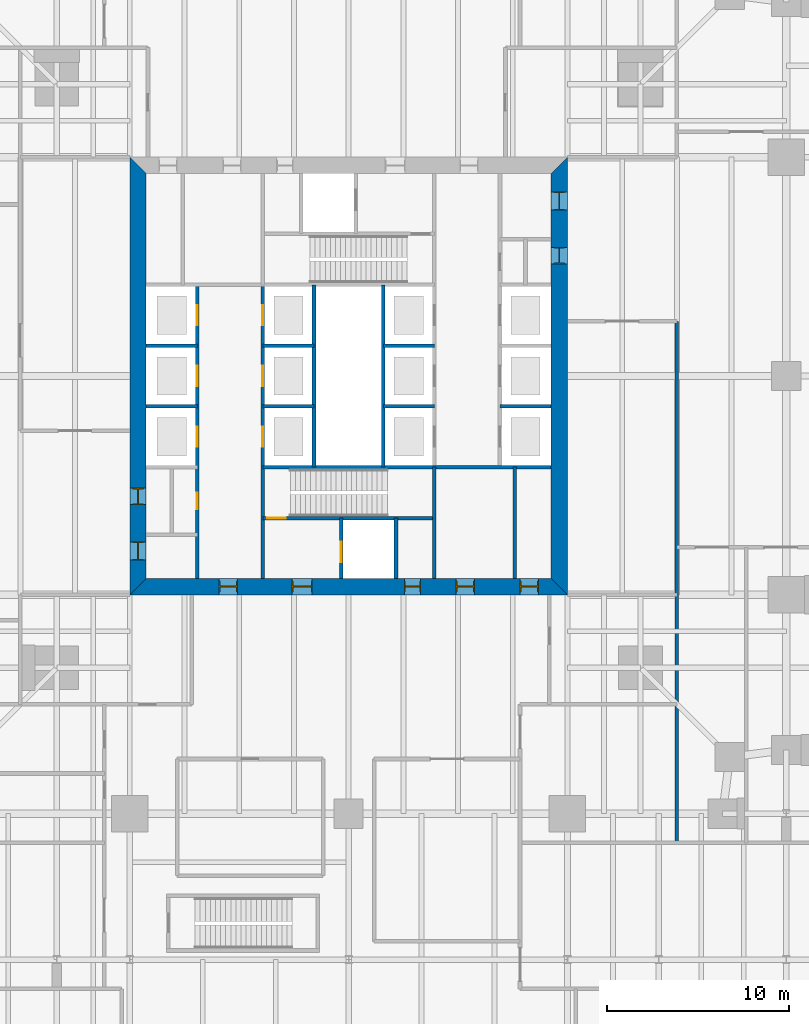
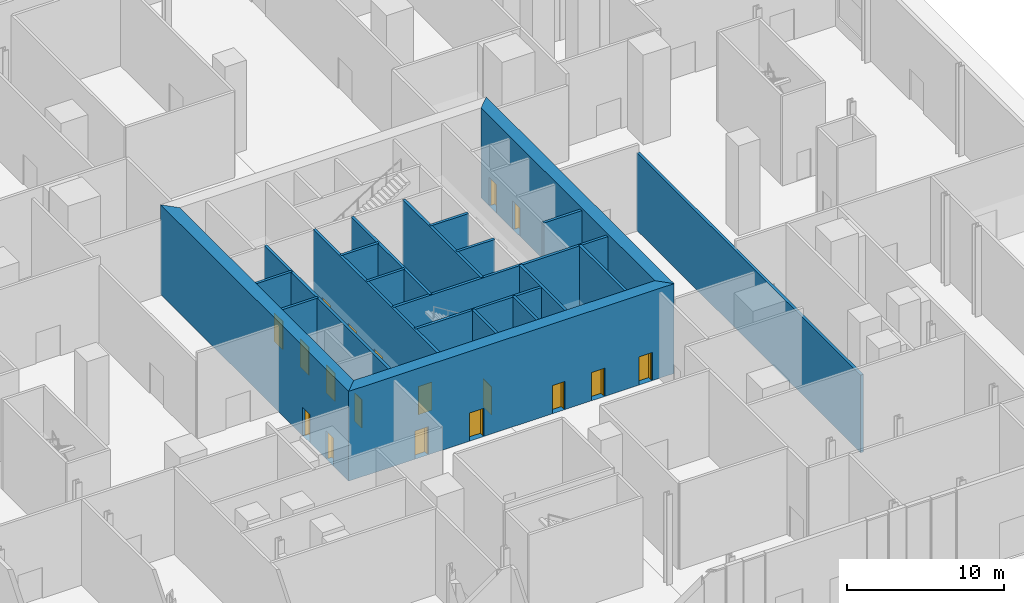
# One storey, part 14 of 20: 21 walls, 18 doors, 18 openings.
"""IFC4 building model written with IfcOpenShell, lengths in metres."""

from ifc_helpers import new_model, si_unit, direction, frame, frame_2d, origin, place, context, subcontext, project, spatial, polyline, rectangle, outline, extrude, material, layer, layer_set, type_object, element, fill, save


model = new_model("IFC4")

# Units and contexts
model_context = context("Model", 3, precision=1e-05, world=origin(), true_north=direction((0.0, 1.0)))
body_context = subcontext(model_context, "Body", "Model", "MODEL_VIEW")
ifc_project = project(units=[si_unit("LENGTHUNIT", "METRE"), si_unit("AREAUNIT", "SQUARE_METRE"), si_unit("VOLUMEUNIT", "CUBIC_METRE"), si_unit("PLANEANGLEUNIT", "RADIAN"), si_unit("MASSUNIT", "GRAM", prefix="KILO")], contexts=[model_context])

# Site, building, storey
site_placement = place(None, origin())
site = spatial("IfcSite", under=ifc_project, at=site_placement, CompositionType="ELEMENT")
building_placement = place(site_placement, origin())
building = spatial("IfcBuilding", under=site, at=building_placement, Name="Fenwick Lantern Interchange", CompositionType="ELEMENT")
storey_placement = place(building_placement, origin())
storey = spatial("IfcBuildingStorey", under=building, at=storey_placement, Name="L00", CompositionType="ELEMENT", Elevation=0.0)

# Wall, openings, doors
ifc_material_1 = material(Name="Concrete masonry ASTM C90 Grade N", Category="masonry")
ifc_layer_1 = layer(ifc_material_1, 0.199951171875)
ifc_layer_set_1 = layer_set([ifc_layer_1], Name="Concrete masonry ASTM C90 Grade N")
wall_type_1 = type_object("IfcWallType", Name="CORE PARTITION 200", PredefinedType="PARTITIONING", material=ifc_layer_set_1)
wall_1_placement = place(storey_placement, frame((16.699951171875, 13.89990234375, 0.0), z_axis=(0.0, 0.0, 1.0), x_axis=(0.0, 1.0, 0.0)))
wall_1 = element("IfcWall", 1, at=wall_1_placement, inside=storey, type_object=wall_type_1, Name="L00/W/CORES/a", PredefinedType="PARTITIONING", context=body_context, shape_type="SweptSolid", body=[
    extrude(rectangle(XDim=16.10009765625, YDim=0.199951171875, at=frame_2d((8.050048828125, 0.0))), origin(), (0.0, 0.0, 1.0), 6.800048828125),
])
opening_1_placement = place(wall_1_placement, frame((3.800048828125, 0.0, 0.0)))
opening_1 = element("IfcOpeningElement", 2, at=opening_1_placement, cuts=wall_1, Name="Opening L00-D024", PredefinedType="OPENING", context=body_context, shape_type="SweptSolid", body=[
    extrude(rectangle(XDim=0.89990234375, YDim=2.199951171875, at=frame_2d((0.449951171875, 1.10009765625))), frame((0.0, 0.10986328125, 0.0), z_axis=(0.0, -1.0, 0.0), x_axis=(1.0, 0.0, 0.0)), (0.0, 0.0, 1.0), 0.219970703125),
])
opening_2_placement = place(wall_1_placement, frame((7.216552734375, 0.0, 0.0)))
opening_2 = element("IfcOpeningElement", 3, at=opening_2_placement, cuts=wall_1, Name="Opening LD-W1-1", PredefinedType="OPENING", context=body_context, shape_type="SweptSolid", body=[
    extrude(rectangle(XDim=1.10009765625, YDim=2.199951171875, at=frame_2d((0.550048828125, 1.10009765625))), frame((0.0, 0.10986328125, 0.0), z_axis=(0.0, -1.0, 0.0), x_axis=(1.0, 0.0, 0.0)), (0.0, 0.0, 1.0), 0.219970703125),
])
opening_3_placement = place(wall_1_placement, frame((10.550048828125, 0.0, 0.0)))
opening_3 = element("IfcOpeningElement", 4, at=opening_3_placement, cuts=wall_1, Name="Opening LD-W1-2", PredefinedType="OPENING", context=body_context, shape_type="SweptSolid", body=[
    extrude(rectangle(XDim=1.10009765625, YDim=2.199951171875, at=frame_2d((0.550048828125, 1.10009765625))), frame((0.0, 0.10986328125, 0.0), z_axis=(0.0, -1.0, 0.0), x_axis=(1.0, 0.0, 0.0)), (0.0, 0.0, 1.0), 0.219970703125),
])
opening_4_placement = place(wall_1_placement, frame((13.88330078125, 0.0, 0.0)))
opening_4 = element("IfcOpeningElement", 5, at=opening_4_placement, cuts=wall_1, Name="Opening LD-W1-3", PredefinedType="OPENING", context=body_context, shape_type="SweptSolid", body=[
    extrude(rectangle(XDim=1.10009765625, YDim=2.199951171875, at=frame_2d((0.550048828125, 1.10009765625))), frame((0.0, 0.10986328125, 0.0), z_axis=(0.0, -1.0, 0.0), x_axis=(1.0, 0.0, 0.0)), (0.0, 0.0, 1.0), 0.219970703125),
])
ifc_material_2 = material(Name="Steel door and frame", Category="steel")
door_type_1 = type_object("IfcDoorType", Name="LIFT LANDING DOOR 1100 X 2200", OperationType="DOUBLE_DOOR_SLIDING", PredefinedType="DOOR", material=ifc_material_2)
door_1_placement = place(opening_2_placement, origin())
door_1 = element("IfcDoor", 6, at=door_1_placement, inside=storey, type_object=door_type_1, Name="Lift landing door W1-1", OperationType="DOUBLE_DOOR_SLIDING", OverallHeight=2.199951171875, OverallWidth=1.10009765625, PredefinedType="DOOR", context=body_context, shape_type="SweptSolid", body=[
    extrude(rectangle(XDim=1.10009765625, YDim=2.199951171875, at=frame_2d((0.550048828125, 1.10009765625))), frame((0.0, 0.02490234375, 0.0), z_axis=(0.0, -1.0, 0.0), x_axis=(1.0, 0.0, 0.0)), (0.0, 0.0, 1.0), 0.050048828125),
])
fill(opening_2, door_1)
door_2_placement = place(opening_3_placement, origin())
door_2 = element("IfcDoor", 7, at=door_2_placement, inside=storey, type_object=door_type_1, Name="Lift landing door W1-2", OperationType="DOUBLE_DOOR_SLIDING", OverallHeight=2.199951171875, OverallWidth=1.10009765625, PredefinedType="DOOR", context=body_context, shape_type="SweptSolid", body=[
    extrude(rectangle(XDim=1.10009765625, YDim=2.199951171875, at=frame_2d((0.550048828125, 1.10009765625))), frame((0.0, 0.02490234375, 0.0), z_axis=(0.0, -1.0, 0.0), x_axis=(1.0, 0.0, 0.0)), (0.0, 0.0, 1.0), 0.050048828125),
])
fill(opening_3, door_2)
door_3_placement = place(opening_4_placement, origin())
door_3 = element("IfcDoor", 8, at=door_3_placement, inside=storey, type_object=door_type_1, Name="Lift landing door W1-3", OperationType="DOUBLE_DOOR_SLIDING", OverallHeight=2.199951171875, OverallWidth=1.10009765625, PredefinedType="DOOR", context=body_context, shape_type="SweptSolid", body=[
    extrude(rectangle(XDim=1.10009765625, YDim=2.199951171875, at=frame_2d((0.550048828125, 1.10009765625))), frame((0.0, 0.02490234375, 0.0), z_axis=(0.0, -1.0, 0.0), x_axis=(1.0, 0.0, 0.0)), (0.0, 0.0, 1.0), 0.050048828125),
])
fill(opening_4, door_3)
door_type_2 = type_object("IfcDoorType", Name="SERVICE DOOR 900 X 2200", OperationType="SINGLE_SWING_LEFT", PredefinedType="DOOR", material=ifc_material_2)
door_4_placement = place(opening_1_placement, origin())
door_4 = element("IfcDoor", 9, at=door_4_placement, inside=storey, type_object=door_type_2, Name="Service door", OperationType="SINGLE_SWING_LEFT", OverallHeight=2.199951171875, OverallWidth=0.89990234375, PredefinedType="DOOR", context=body_context, shape_type="SweptSolid", body=[
    extrude(rectangle(XDim=0.89990234375, YDim=2.199951171875, at=frame_2d((0.449951171875, 1.10009765625))), frame((0.0, 0.02490234375, 0.0), z_axis=(0.0, -1.0, 0.0), x_axis=(1.0, 0.0, 0.0)), (0.0, 0.0, 1.0), 0.050048828125),
])
fill(opening_1, door_4)

# Walls
for number, where, z_axis, x_axis, name in (
    (10, (13.89990234375, 23.333251953125, 0.0), (0.0, 0.0, 1.0), (1.0, 0.0, 0.0), "L00/W/CORES/d1"),
    (11, (13.89990234375, 26.666748046875, 0.0), (0.0, 0.0, 1.0), (1.0, 0.0, 0.0), "L00/W/CORES/d2"),
    (12, (20.300048828125, 23.333251953125, 0.0), (0.0, 0.0, 1.0), (1.0, 0.0, 0.0), "L00/W/CORES/e1"),
    (13, (20.300048828125, 26.666748046875, 0.0), (0.0, 0.0, 1.0), (1.0, 0.0, 0.0), "L00/W/CORES/e2"),
):
    element("IfcWall", number, at=place(storey_placement, frame(where, z_axis=z_axis, x_axis=x_axis)), inside=storey, type_object=wall_type_1, Name=name, PredefinedType="PARTITIONING", context=body_context, shape_type="SweptSolid", body=[
        extrude(rectangle(XDim=2.800048828125, YDim=0.199951171875, at=frame_2d((1.39990234375, 0.0))), origin(), (0.0, 0.0, 1.0), 6.800048828125),
    ])
wall_2_placement = place(storey_placement, frame((23.10009765625, 20.0, 0.0), z_axis=(0.0, 0.0, 1.0), x_axis=(0.0, 1.0, 0.0)))
element("IfcWall", 14, at=wall_2_placement, inside=storey, type_object=wall_type_1, Name="L00/W/CORES/e3", PredefinedType="PARTITIONING", context=body_context, shape_type="SweptSolid", body=[
    extrude(rectangle(XDim=10.0, YDim=0.199951171875, at=frame_2d((5.0, 0.0))), origin(), (0.0, 0.0, 1.0), 6.800048828125),
])

# Wall, opening, door
wall_3_placement = place(storey_placement, frame((24.60009765625, 13.89990234375, 0.0), z_axis=(0.0, 0.0, 1.0), x_axis=(0.0, 1.0, 0.0)))
wall_3 = element("IfcWall", 15, at=wall_3_placement, inside=storey, type_object=wall_type_1, Name="L00/W/CORES/h1", PredefinedType="PARTITIONING", context=body_context, shape_type="SweptSolid", body=[
    extrude(rectangle(XDim=3.300048828125, YDim=0.199951171875, at=frame_2d((1.64990234375, 0.0))), origin(), (0.0, 0.0, 1.0), 6.800048828125),
])
opening_5_placement = place(wall_3_placement, frame((0.89990234375, 0.0, 0.0)))
opening_5 = element("IfcOpeningElement", 16, at=opening_5_placement, cuts=wall_3, Name="Opening LD-FL1", PredefinedType="OPENING", context=body_context, shape_type="SweptSolid", body=[
    extrude(rectangle(XDim=1.10009765625, YDim=2.199951171875, at=frame_2d((0.550048828125, 1.10009765625))), frame((0.0, 0.10986328125, 0.0), z_axis=(0.0, -1.0, 0.0), x_axis=(1.0, 0.0, 0.0)), (0.0, 0.0, 1.0), 0.219970703125),
])
door_5_placement = place(opening_5_placement, origin())
door_5 = element("IfcDoor", 17, at=door_5_placement, inside=storey, type_object=door_type_1, Name="Lift landing door FL1", OperationType="DOUBLE_DOOR_SLIDING", OverallHeight=2.199951171875, OverallWidth=1.10009765625, PredefinedType="DOOR", context=body_context, shape_type="SweptSolid", body=[
    extrude(rectangle(XDim=1.10009765625, YDim=2.199951171875, at=frame_2d((0.550048828125, 1.10009765625))), frame((0.0, 0.02490234375, 0.0), z_axis=(0.0, -1.0, 0.0), x_axis=(1.0, 0.0, 0.0)), (0.0, 0.0, 1.0), 0.050048828125),
])
fill(opening_5, door_5)

# Walls
wall_4_placement = place(storey_placement, frame((27.60009765625, 13.89990234375, 0.0), z_axis=(0.0, 0.0, 1.0), x_axis=(0.0, 1.0, 0.0)))
element("IfcWall", 18, at=wall_4_placement, inside=storey, type_object=wall_type_1, Name="L00/W/CORES/h2", PredefinedType="PARTITIONING", context=body_context, shape_type="SweptSolid", body=[
    extrude(rectangle(XDim=3.300048828125, YDim=0.199951171875, at=frame_2d((1.64990234375, 0.0))), origin(), (0.0, 0.0, 1.0), 6.800048828125),
])
wall_5_placement = place(storey_placement, frame((34.10009765625, 13.89990234375, 0.0), z_axis=(0.0, 0.0, 1.0), x_axis=(0.0, 1.0, 0.0)))
element("IfcWall", 19, at=wall_5_placement, inside=storey, type_object=wall_type_1, Name="L00/W/CORES/i2", PredefinedType="PARTITIONING", context=body_context, shape_type="SweptSolid", body=[
    extrude(rectangle(XDim=6.10009765625, YDim=0.199951171875, at=frame_2d((3.050048828125, 0.0))), origin(), (0.0, 0.0, 1.0), 6.800048828125),
])
for number, where, z_axis, x_axis, name in (
    (20, (36.10009765625, 23.333251953125, 0.0), (0.0, 0.0, 1.0), (-1.0, 0.0, 0.0), "L00/W/COREN/d2"),
    (21, (29.699951171875, 26.666748046875, 0.0), (0.0, 0.0, 1.0), (-1.0, 0.0, 0.0), "L00/W/COREN/e1"),
    (22, (29.699951171875, 23.333251953125, 0.0), (0.0, 0.0, 1.0), (-1.0, 0.0, 0.0), "L00/W/COREN/e2"),
):
    element("IfcWall", number, at=place(storey_placement, frame(where, z_axis=z_axis, x_axis=x_axis)), inside=storey, type_object=wall_type_1, Name=name, PredefinedType="PARTITIONING", context=body_context, shape_type="SweptSolid", body=[
        extrude(rectangle(XDim=2.800048828125, YDim=0.199951171875, at=frame_2d((1.39990234375, 0.0))), origin(), (0.0, 0.0, 1.0), 6.800048828125),
    ])
wall_6_placement = place(storey_placement, frame((26.89990234375, 30.0, 0.0), z_axis=(0.0, 0.0, 1.0), x_axis=(0.0, -1.0, 0.0)))
element("IfcWall", 23, at=wall_6_placement, inside=storey, type_object=wall_type_1, Name="L00/W/COREN/e3", PredefinedType="PARTITIONING", context=body_context, shape_type="SweptSolid", body=[
    extrude(rectangle(XDim=10.0, YDim=0.199951171875, at=frame_2d((5.0, 0.0))), origin(), (0.0, 0.0, 1.0), 6.800048828125),
])

# Wall, openings, doors
ifc_material_3 = material(Name="Concrete f'c 70 MPa", Category="concrete")
ifc_layer_2 = layer(ifc_material_3, 0.89990234375)
ifc_layer_set_2 = layer_set([ifc_layer_2], Name="CORE WALL 900")
wall_type_2 = type_object("IfcWallType", Name="CORE WALL 900", PredefinedType="SHEAR", material=ifc_layer_set_2)
wall_7_placement = place(storey_placement, frame((13.0, 13.449951171875, 0.0), z_axis=(0.0, 0.0, 1.0), x_axis=(1.0, 0.0, 0.0)))
wall_7 = element("IfcWall", 24, at=wall_7_placement, inside=storey, type_object=wall_type_2, Name="L00/CORE/S", PredefinedType="SHEAR", context=body_context, shape_type="SweptSolid", body=[
    extrude(outline(polyline([(0.0, -0.449951171875), (24.0, -0.449951171875), (23.10009765625, 0.449951171875), (0.89990234375, 0.449951171875), (0.0, -0.449951171875)])), origin(), (0.0, 0.0, 1.0), 7.0),
])
opening_6_placement = place(wall_7_placement, frame((4.89990234375, 0.0, 0.0)))
opening_6 = element("IfcOpeningElement", 25, at=opening_6_placement, cuts=wall_7, Name="Opening L00-D017", PredefinedType="OPENING", context=body_context, shape_type="SweptSolid", body=[
    extrude(rectangle(XDim=1.0, YDim=2.199951171875, at=frame_2d((0.5, 1.10009765625))), frame((0.0, 0.4599609375, 0.0), z_axis=(0.0, -1.0, 0.0), x_axis=(1.0, 0.0, 0.0)), (0.0, 0.0, 1.0), 0.919921875),
])
opening_7_placement = place(wall_7_placement, frame((8.89990234375, 0.0, 0.0)))
opening_7 = element("IfcOpeningElement", 26, at=opening_7_placement, cuts=wall_7, Name="Opening L00-D018", PredefinedType="OPENING", context=body_context, shape_type="SweptSolid", body=[
    extrude(rectangle(XDim=1.10009765625, YDim=2.199951171875, at=frame_2d((0.550048828125, 1.10009765625))), frame((0.0, 0.4599609375, 0.0), z_axis=(0.0, -1.0, 0.0), x_axis=(1.0, 0.0, 0.0)), (0.0, 0.0, 1.0), 0.919921875),
])
opening_8_placement = place(wall_7_placement, frame((15.050048828125, 0.0, 0.0)))
opening_8 = element("IfcOpeningElement", 27, at=opening_8_placement, cuts=wall_7, Name="Opening L00-D020", PredefinedType="OPENING", context=body_context, shape_type="SweptSolid", body=[
    extrude(rectangle(XDim=0.89990234375, YDim=2.199951171875, at=frame_2d((0.449951171875, 1.10009765625))), frame((0.0, 0.4599609375, 0.0), z_axis=(0.0, -1.0, 0.0), x_axis=(1.0, 0.0, 0.0)), (0.0, 0.0, 1.0), 0.919921875),
])
opening_9_placement = place(wall_7_placement, frame((17.89990234375, 0.0, 0.0)))
opening_9 = element("IfcOpeningElement", 28, at=opening_9_placement, cuts=wall_7, Name="Opening L00-D021", PredefinedType="OPENING", context=body_context, shape_type="SweptSolid", body=[
    extrude(rectangle(XDim=1.0, YDim=2.199951171875, at=frame_2d((0.5, 1.10009765625))), frame((0.0, 0.4599609375, 0.0), z_axis=(0.0, -1.0, 0.0), x_axis=(1.0, 0.0, 0.0)), (0.0, 0.0, 1.0), 0.919921875),
])
opening_10_placement = place(wall_7_placement, frame((21.39990234375, 0.0, 0.0)))
opening_10 = element("IfcOpeningElement", 29, at=opening_10_placement, cuts=wall_7, Name="Opening L00-D022", PredefinedType="OPENING", context=body_context, shape_type="SweptSolid", body=[
    extrude(rectangle(XDim=1.0, YDim=2.199951171875, at=frame_2d((0.5, 1.10009765625))), frame((0.0, 0.4599609375, 0.0), z_axis=(0.0, -1.0, 0.0), x_axis=(1.0, 0.0, 0.0)), (0.0, 0.0, 1.0), 0.919921875),
])
door_type_3 = type_object("IfcDoorType", Name="CORE LOBBY DOOR 1000 X 2200", OperationType="SINGLE_SWING_LEFT", PredefinedType="DOOR", material=ifc_material_2)
door_6_placement = place(opening_6_placement, frame((1.0, 0.0, 0.0), z_axis=(0.0, 0.0, 1.0), x_axis=(-1.0, 0.0, 0.0)))
door_6 = element("IfcDoor", 30, at=door_6_placement, inside=storey, type_object=door_type_3, Name="Core lobby door", OperationType="SINGLE_SWING_RIGHT", OverallHeight=2.199951171875, OverallWidth=1.0, PredefinedType="DOOR", context=body_context, shape_type="SweptSolid", body=[
    extrude(rectangle(XDim=1.0, YDim=2.199951171875, at=frame_2d((0.5, 1.10009765625))), frame((0.0, 0.02490234375, 0.0), z_axis=(0.0, -1.0, 0.0), x_axis=(1.0, 0.0, 0.0)), (0.0, 0.0, 1.0), 0.050048828125),
    extrude(outline(polyline([(0.0, 0.0), (0.0400390625, 0.0), (0.0400390625, 2.159912109375), (0.9599609375, 2.159912109375), (0.9599609375, 0.0), (1.0, 0.0), (1.0, 2.199951171875), (0.0, 2.199951171875), (0.0, 0.0)])), frame((0.0, 0.300048828125, 0.0), z_axis=(0.0, -1.0, 0.0), x_axis=(1.0, 0.0, 0.0)), (0.0, 0.0, 1.0), 0.60009765625),
])
fill(opening_6, door_6)
door_type_4 = type_object("IfcDoorType", Name="FIRE LOBBY DOOR 1100 X 2200", OperationType="SINGLE_SWING_LEFT", PredefinedType="DOOR", material=ifc_material_2)
door_7_placement = place(opening_7_placement, frame((1.10009765625, 0.0, 0.0), z_axis=(0.0, 0.0, 1.0), x_axis=(-1.0, 0.0, 0.0)))
door_7 = element("IfcDoor", 31, at=door_7_placement, inside=storey, type_object=door_type_4, Name="Fire lobby door", OperationType="SINGLE_SWING_RIGHT", OverallHeight=2.199951171875, OverallWidth=1.10009765625, PredefinedType="DOOR", context=body_context, shape_type="SweptSolid", body=[
    extrude(rectangle(XDim=1.10009765625, YDim=2.199951171875, at=frame_2d((0.550048828125, 1.10009765625))), frame((0.0, 0.02490234375, 0.0), z_axis=(0.0, -1.0, 0.0), x_axis=(1.0, 0.0, 0.0)), (0.0, 0.0, 1.0), 0.050048828125),
    extrude(outline(polyline([(0.0, 0.0), (0.0400390625, 0.0), (0.0400390625, 2.159912109375), (1.06005859375, 2.159912109375), (1.06005859375, 0.0), (1.10009765625, 0.0), (1.10009765625, 2.199951171875), (0.0, 2.199951171875), (0.0, 0.0)])), frame((0.0, 0.300048828125, 0.0), z_axis=(0.0, -1.0, 0.0), x_axis=(1.0, 0.0, 0.0)), (0.0, 0.0, 1.0), 0.60009765625),
])
fill(opening_7, door_7)
door_8_placement = place(opening_8_placement, origin())
door_8 = element("IfcDoor", 32, at=door_8_placement, inside=storey, type_object=door_type_2, Name="Service door", OperationType="SINGLE_SWING_LEFT", OverallHeight=2.199951171875, OverallWidth=0.89990234375, PredefinedType="DOOR", context=body_context, shape_type="SweptSolid", body=[
    extrude(rectangle(XDim=0.89990234375, YDim=2.199951171875, at=frame_2d((0.449951171875, 1.10009765625))), frame((0.0, 0.02490234375, 0.0), z_axis=(0.0, -1.0, 0.0), x_axis=(1.0, 0.0, 0.0)), (0.0, 0.0, 1.0), 0.050048828125),
    extrude(outline(polyline([(0.0, 0.0), (0.0400390625, 0.0), (0.0400390625, 2.159912109375), (0.85986328125, 2.159912109375), (0.85986328125, 0.0), (0.89990234375, 0.0), (0.89990234375, 2.199951171875), (0.0, 2.199951171875), (0.0, 0.0)])), frame((0.0, 0.300048828125, 0.0), z_axis=(0.0, -1.0, 0.0), x_axis=(1.0, 0.0, 0.0)), (0.0, 0.0, 1.0), 0.60009765625),
])
fill(opening_8, door_8)
ifc_material_4 = material(Name="Hardwood door and steel frame", Category="steel")
door_type_5 = type_object("IfcDoorType", Name="WC DOOR 1000 X 2200", OperationType="SINGLE_SWING_LEFT", PredefinedType="DOOR", material=ifc_material_4)
door_9_placement = place(opening_9_placement, origin())
door_9 = element("IfcDoor", 33, at=door_9_placement, inside=storey, type_object=door_type_5, Name="Wc door", OperationType="SINGLE_SWING_LEFT", OverallHeight=2.199951171875, OverallWidth=1.0, PredefinedType="DOOR", context=body_context, shape_type="SweptSolid", body=[
    extrude(rectangle(XDim=1.0, YDim=2.199951171875, at=frame_2d((0.5, 1.10009765625))), frame((0.0, 0.02490234375, 0.0), z_axis=(0.0, -1.0, 0.0), x_axis=(1.0, 0.0, 0.0)), (0.0, 0.0, 1.0), 0.050048828125),
    extrude(outline(polyline([(0.0, 0.0), (0.0400390625, 0.0), (0.0400390625, 2.159912109375), (0.9599609375, 2.159912109375), (0.9599609375, 0.0), (1.0, 0.0), (1.0, 2.199951171875), (0.0, 2.199951171875), (0.0, 0.0)])), frame((0.0, 0.300048828125, 0.0), z_axis=(0.0, -1.0, 0.0), x_axis=(1.0, 0.0, 0.0)), (0.0, 0.0, 1.0), 0.60009765625),
])
fill(opening_9, door_9)
door_10_placement = place(opening_10_placement, origin())
door_10 = element("IfcDoor", 34, at=door_10_placement, inside=storey, type_object=door_type_5, Name="Wc door", OperationType="SINGLE_SWING_LEFT", OverallHeight=2.199951171875, OverallWidth=1.0, PredefinedType="DOOR", context=body_context, shape_type="SweptSolid", body=[
    extrude(rectangle(XDim=1.0, YDim=2.199951171875, at=frame_2d((0.5, 1.10009765625))), frame((0.0, 0.02490234375, 0.0), z_axis=(0.0, -1.0, 0.0), x_axis=(1.0, 0.0, 0.0)), (0.0, 0.0, 1.0), 0.050048828125),
    extrude(outline(polyline([(0.0, 0.0), (0.0400390625, 0.0), (0.0400390625, 2.159912109375), (0.9599609375, 2.159912109375), (0.9599609375, 0.0), (1.0, 0.0), (1.0, 2.199951171875), (0.0, 2.199951171875), (0.0, 0.0)])), frame((0.0, 0.300048828125, 0.0), z_axis=(0.0, -1.0, 0.0), x_axis=(1.0, 0.0, 0.0)), (0.0, 0.0, 1.0), 0.60009765625),
])
fill(opening_10, door_10)

wall_8_placement = place(storey_placement, frame((36.550048828125, 13.89990234375, 0.0), z_axis=(0.0, 0.0, 1.0), x_axis=(0.0, 1.0, 0.0)))
wall_8 = element("IfcWall", 35, at=wall_8_placement, inside=storey, type_object=wall_type_2, Name="L00/CORE/E", PredefinedType="SHEAR", context=body_context, shape_type="SweptSolid", body=[
    extrude(outline(polyline([(-0.89990234375, -0.449951171875), (23.10009765625, -0.449951171875), (22.199951171875, 0.449951171875), (0.0, 0.449951171875), (-0.89990234375, -0.449951171875)])), origin(), (0.0, 0.0, 1.0), 7.0),
])
opening_11_placement = place(wall_8_placement, frame((20.199951171875, 0.0, 0.0)))
opening_11 = element("IfcOpeningElement", 36, at=opening_11_placement, cuts=wall_8, Name="Opening L00-D032", PredefinedType="OPENING", context=body_context, shape_type="SweptSolid", body=[
    extrude(rectangle(XDim=1.0, YDim=2.199951171875, at=frame_2d((0.5, 1.10009765625))), frame((0.0, 0.4599609375, 0.0), z_axis=(0.0, -1.0, 0.0), x_axis=(1.0, 0.0, 0.0)), (0.0, 0.0, 1.0), 0.919921875),
])
opening_12_placement = place(wall_8_placement, frame((17.25, 0.0, 0.0)))
opening_12 = element("IfcOpeningElement", 37, at=opening_12_placement, cuts=wall_8, Name="Opening L00-D034", PredefinedType="OPENING", context=body_context, shape_type="SweptSolid", body=[
    extrude(rectangle(XDim=0.89990234375, YDim=2.199951171875, at=frame_2d((0.449951171875, 1.10009765625))), frame((0.0, 0.4599609375, 0.0), z_axis=(0.0, -1.0, 0.0), x_axis=(1.0, 0.0, 0.0)), (0.0, 0.0, 1.0), 0.919921875),
])
door_11_placement = place(opening_12_placement, origin())
door_11 = element("IfcDoor", 38, at=door_11_placement, inside=storey, type_object=door_type_2, Name="Service door", OperationType="SINGLE_SWING_RIGHT", OverallHeight=2.199951171875, OverallWidth=0.89990234375, PredefinedType="DOOR", context=body_context, shape_type="SweptSolid", body=[
    extrude(rectangle(XDim=0.89990234375, YDim=2.199951171875, at=frame_2d((0.449951171875, 1.10009765625))), frame((0.0, 0.02490234375, 0.0), z_axis=(0.0, -1.0, 0.0), x_axis=(1.0, 0.0, 0.0)), (0.0, 0.0, 1.0), 0.050048828125),
    extrude(outline(polyline([(0.0, 0.0), (0.0400390625, 0.0), (0.0400390625, 2.159912109375), (0.85986328125, 2.159912109375), (0.85986328125, 0.0), (0.89990234375, 0.0), (0.89990234375, 2.199951171875), (0.0, 2.199951171875), (0.0, 0.0)])), frame((0.0, 0.300048828125, 0.0), z_axis=(0.0, -1.0, 0.0), x_axis=(1.0, 0.0, 0.0)), (0.0, 0.0, 1.0), 0.60009765625),
])
fill(opening_12, door_11)
door_12_placement = place(opening_11_placement, origin())
door_12 = element("IfcDoor", 39, at=door_12_placement, inside=storey, type_object=door_type_5, Name="Wc door", OperationType="SINGLE_SWING_RIGHT", OverallHeight=2.199951171875, OverallWidth=1.0, PredefinedType="DOOR", context=body_context, shape_type="SweptSolid", body=[
    extrude(rectangle(XDim=1.0, YDim=2.199951171875, at=frame_2d((0.5, 1.10009765625))), frame((0.0, 0.02490234375, 0.0), z_axis=(0.0, -1.0, 0.0), x_axis=(1.0, 0.0, 0.0)), (0.0, 0.0, 1.0), 0.050048828125),
    extrude(outline(polyline([(0.0, 0.0), (0.0400390625, 0.0), (0.0400390625, 2.159912109375), (0.9599609375, 2.159912109375), (0.9599609375, 0.0), (1.0, 0.0), (1.0, 2.199951171875), (0.0, 2.199951171875), (0.0, 0.0)])), frame((0.0, 0.300048828125, 0.0), z_axis=(0.0, -1.0, 0.0), x_axis=(1.0, 0.0, 0.0)), (0.0, 0.0, 1.0), 0.60009765625),
])
fill(opening_11, door_12)

wall_9_placement = place(storey_placement, frame((13.449951171875, 36.10009765625, 0.0), z_axis=(0.0, 0.0, 1.0), x_axis=(0.0, -1.0, 0.0)))
wall_9 = element("IfcWall", 40, at=wall_9_placement, inside=storey, type_object=wall_type_2, Name="L00/CORE/W", PredefinedType="SHEAR", context=body_context, shape_type="SweptSolid", body=[
    extrude(outline(polyline([(-0.89990234375, -0.449951171875), (23.10009765625, -0.449951171875), (22.199951171875, 0.449951171875), (0.0, 0.449951171875), (-0.89990234375, -0.449951171875)])), origin(), (0.0, 0.0, 1.0), 7.0),
])
opening_13_placement = place(wall_9_placement, frame((20.199951171875, 0.0, 0.0)))
opening_13 = element("IfcOpeningElement", 41, at=opening_13_placement, cuts=wall_9, Name="Opening L00-D023", PredefinedType="OPENING", context=body_context, shape_type="SweptSolid", body=[
    extrude(rectangle(XDim=1.0, YDim=2.199951171875, at=frame_2d((0.5, 1.10009765625))), frame((0.0, 0.4599609375, 0.0), z_axis=(0.0, -1.0, 0.0), x_axis=(1.0, 0.0, 0.0)), (0.0, 0.0, 1.0), 0.919921875),
])
opening_14_placement = place(wall_9_placement, frame((17.25, 0.0, 0.0)))
opening_14 = element("IfcOpeningElement", 42, at=opening_14_placement, cuts=wall_9, Name="Opening L00-D025", PredefinedType="OPENING", context=body_context, shape_type="SweptSolid", body=[
    extrude(rectangle(XDim=0.89990234375, YDim=2.199951171875, at=frame_2d((0.449951171875, 1.10009765625))), frame((0.0, 0.4599609375, 0.0), z_axis=(0.0, -1.0, 0.0), x_axis=(1.0, 0.0, 0.0)), (0.0, 0.0, 1.0), 0.919921875),
])
door_13_placement = place(opening_14_placement, origin())
door_13 = element("IfcDoor", 43, at=door_13_placement, inside=storey, type_object=door_type_2, Name="Service door", OperationType="SINGLE_SWING_LEFT", OverallHeight=2.199951171875, OverallWidth=0.89990234375, PredefinedType="DOOR", context=body_context, shape_type="SweptSolid", body=[
    extrude(rectangle(XDim=0.89990234375, YDim=2.199951171875, at=frame_2d((0.449951171875, 1.10009765625))), frame((0.0, 0.02490234375, 0.0), z_axis=(0.0, -1.0, 0.0), x_axis=(1.0, 0.0, 0.0)), (0.0, 0.0, 1.0), 0.050048828125),
    extrude(outline(polyline([(0.0, 0.0), (0.0400390625, 0.0), (0.0400390625, 2.159912109375), (0.85986328125, 2.159912109375), (0.85986328125, 0.0), (0.89990234375, 0.0), (0.89990234375, 2.199951171875), (0.0, 2.199951171875), (0.0, 0.0)])), frame((0.0, 0.300048828125, 0.0), z_axis=(0.0, -1.0, 0.0), x_axis=(1.0, 0.0, 0.0)), (0.0, 0.0, 1.0), 0.60009765625),
])
fill(opening_14, door_13)
door_14_placement = place(opening_13_placement, origin())
door_14 = element("IfcDoor", 44, at=door_14_placement, inside=storey, type_object=door_type_5, Name="Wc door", OperationType="SINGLE_SWING_LEFT", OverallHeight=2.199951171875, OverallWidth=1.0, PredefinedType="DOOR", context=body_context, shape_type="SweptSolid", body=[
    extrude(rectangle(XDim=1.0, YDim=2.199951171875, at=frame_2d((0.5, 1.10009765625))), frame((0.0, 0.02490234375, 0.0), z_axis=(0.0, -1.0, 0.0), x_axis=(1.0, 0.0, 0.0)), (0.0, 0.0, 1.0), 0.050048828125),
    extrude(outline(polyline([(0.0, 0.0), (0.0400390625, 0.0), (0.0400390625, 2.159912109375), (0.9599609375, 2.159912109375), (0.9599609375, 0.0), (1.0, 0.0), (1.0, 2.199951171875), (0.0, 2.199951171875), (0.0, 0.0)])), frame((0.0, 0.300048828125, 0.0), z_axis=(0.0, -1.0, 0.0), x_axis=(1.0, 0.0, 0.0)), (0.0, 0.0, 1.0), 0.60009765625),
])
fill(opening_13, door_14)

# Wall
ifc_material_5 = material(Name="Gypsum board on steel studs, 1 hour", Category="steel")
ifc_layer_3 = layer(ifc_material_5, 0.199951171875)
ifc_layer_set_3 = layer_set([ifc_layer_3], Name="ROOM WALL 200")
wall_type_3 = type_object("IfcWallType", Name="ROOM WALL 200", PredefinedType="PARTITIONING", material=ifc_layer_set_3)
wall_10_placement = place(storey_placement, frame((43.0, -0.60009765625, 0.0), z_axis=(0.0, 0.0, 1.0), x_axis=(0.0, 1.0, 0.0)))
element("IfcWall", 45, at=wall_10_placement, inside=storey, type_object=wall_type_3, Name="L00/W/POD/X43-1", PredefinedType="PARTITIONING", context=body_context, shape_type="SweptSolid", body=[
    extrude(rectangle(XDim=28.60009765625, YDim=0.199951171875, at=frame_2d((14.300048828125, 0.0))), origin(), (0.0, 0.0, 1.0), 6.04296875),
])

# Wall, openings, doors
ifc_material_6 = material(Name="Concrete f'c 45 MPa", Category="concrete")
ifc_layer_4 = layer(ifc_material_6, 0.199951171875)
ifc_layer_set_4 = layer_set([ifc_layer_4], Name="STAIR CORE WALL 200")
wall_type_4 = type_object("IfcWallType", Name="STAIR CORE WALL 200", PredefinedType="SOLIDWALL", material=ifc_layer_set_4)
wall_11_placement = place(storey_placement, frame((20.300048828125, 13.89990234375, 0.0), z_axis=(0.0, 0.0, 1.0), x_axis=(0.0, 1.0, 0.0)))
wall_11 = element("IfcWall", 46, at=wall_11_placement, inside=storey, type_object=wall_type_4, Name="L00/W/CORES/b", PredefinedType="SOLIDWALL", context=body_context, shape_type="SweptSolid", body=[
    extrude(rectangle(XDim=16.10009765625, YDim=0.199951171875, at=frame_2d((8.050048828125, 0.0))), origin(), (0.0, 0.0, 1.0), 6.800048828125),
])
opening_15_placement = place(wall_11_placement, frame((7.216552734375, 0.0, 0.0)))
opening_15 = element("IfcOpeningElement", 47, at=opening_15_placement, cuts=wall_11, Name="Opening LD-W2-1", PredefinedType="OPENING", context=body_context, shape_type="SweptSolid", body=[
    extrude(rectangle(XDim=1.10009765625, YDim=2.199951171875, at=frame_2d((0.550048828125, 1.10009765625))), frame((0.0, 0.10986328125, 0.0), z_axis=(0.0, -1.0, 0.0), x_axis=(1.0, 0.0, 0.0)), (0.0, 0.0, 1.0), 0.219970703125),
])
opening_16_placement = place(wall_11_placement, frame((10.550048828125, 0.0, 0.0)))
opening_16 = element("IfcOpeningElement", 48, at=opening_16_placement, cuts=wall_11, Name="Opening LD-W2-2", PredefinedType="OPENING", context=body_context, shape_type="SweptSolid", body=[
    extrude(rectangle(XDim=1.10009765625, YDim=2.199951171875, at=frame_2d((0.550048828125, 1.10009765625))), frame((0.0, 0.10986328125, 0.0), z_axis=(0.0, -1.0, 0.0), x_axis=(1.0, 0.0, 0.0)), (0.0, 0.0, 1.0), 0.219970703125),
])
opening_17_placement = place(wall_11_placement, frame((13.88330078125, 0.0, 0.0)))
opening_17 = element("IfcOpeningElement", 49, at=opening_17_placement, cuts=wall_11, Name="Opening LD-W2-3", PredefinedType="OPENING", context=body_context, shape_type="SweptSolid", body=[
    extrude(rectangle(XDim=1.10009765625, YDim=2.199951171875, at=frame_2d((0.550048828125, 1.10009765625))), frame((0.0, 0.10986328125, 0.0), z_axis=(0.0, -1.0, 0.0), x_axis=(1.0, 0.0, 0.0)), (0.0, 0.0, 1.0), 0.219970703125),
])
door_15_placement = place(opening_15_placement, origin())
door_15 = element("IfcDoor", 50, at=door_15_placement, inside=storey, type_object=door_type_1, Name="Lift landing door W2-1", OperationType="DOUBLE_DOOR_SLIDING", OverallHeight=2.199951171875, OverallWidth=1.10009765625, PredefinedType="DOOR", context=body_context, shape_type="SweptSolid", body=[
    extrude(rectangle(XDim=1.10009765625, YDim=2.199951171875, at=frame_2d((0.550048828125, 1.10009765625))), frame((0.0, 0.02490234375, 0.0), z_axis=(0.0, -1.0, 0.0), x_axis=(1.0, 0.0, 0.0)), (0.0, 0.0, 1.0), 0.050048828125),
])
fill(opening_15, door_15)
door_16_placement = place(opening_16_placement, origin())
door_16 = element("IfcDoor", 51, at=door_16_placement, inside=storey, type_object=door_type_1, Name="Lift landing door W2-2", OperationType="DOUBLE_DOOR_SLIDING", OverallHeight=2.199951171875, OverallWidth=1.10009765625, PredefinedType="DOOR", context=body_context, shape_type="SweptSolid", body=[
    extrude(rectangle(XDim=1.10009765625, YDim=2.199951171875, at=frame_2d((0.550048828125, 1.10009765625))), frame((0.0, 0.02490234375, 0.0), z_axis=(0.0, -1.0, 0.0), x_axis=(1.0, 0.0, 0.0)), (0.0, 0.0, 1.0), 0.050048828125),
])
fill(opening_16, door_16)
door_17_placement = place(opening_17_placement, origin())
door_17 = element("IfcDoor", 52, at=door_17_placement, inside=storey, type_object=door_type_1, Name="Lift landing door W2-3", OperationType="DOUBLE_DOOR_SLIDING", OverallHeight=2.199951171875, OverallWidth=1.10009765625, PredefinedType="DOOR", context=body_context, shape_type="SweptSolid", body=[
    extrude(rectangle(XDim=1.10009765625, YDim=2.199951171875, at=frame_2d((0.550048828125, 1.10009765625))), frame((0.0, 0.02490234375, 0.0), z_axis=(0.0, -1.0, 0.0), x_axis=(1.0, 0.0, 0.0)), (0.0, 0.0, 1.0), 0.050048828125),
])
fill(opening_17, door_17)

# Wall, opening, door
wall_12_placement = place(storey_placement, frame((20.300048828125, 17.199951171875, 0.0), z_axis=(0.0, 0.0, 1.0), x_axis=(1.0, 0.0, 0.0)))
wall_12 = element("IfcWall", 53, at=wall_12_placement, inside=storey, type_object=wall_type_4, Name="L00/W/CORES/g1", PredefinedType="SOLIDWALL", context=body_context, shape_type="SweptSolid", body=[
    extrude(rectangle(XDim=9.39990234375, YDim=0.199951171875, at=frame_2d((4.699951171875, 0.0))), origin(), (0.0, 0.0, 1.0), 6.800048828125),
])
opening_18_placement = place(wall_12_placement, frame((0.25, 0.0, 0.0)))
opening_18 = element("IfcOpeningElement", 54, at=opening_18_placement, cuts=wall_12, Name="Opening L00-D019", PredefinedType="OPENING", context=body_context, shape_type="SweptSolid", body=[
    extrude(rectangle(XDim=1.0, YDim=2.199951171875, at=frame_2d((0.5, 1.10009765625))), frame((0.0, 0.10986328125, 0.0), z_axis=(0.0, -1.0, 0.0), x_axis=(1.0, 0.0, 0.0)), (0.0, 0.0, 1.0), 0.219970703125),
])
door_type_6 = type_object("IfcDoorType", Name="STAIR DOOR 1000 X 2200", OperationType="SINGLE_SWING_LEFT", PredefinedType="DOOR", material=ifc_material_2)
door_18_placement = place(opening_18_placement, frame((1.0, 0.0, 0.0), z_axis=(0.0, 0.0, 1.0), x_axis=(-1.0, 0.0, 0.0)))
door_18 = element("IfcDoor", 55, at=door_18_placement, inside=storey, type_object=door_type_6, Name="Stair door", OperationType="SINGLE_SWING_RIGHT", OverallHeight=2.199951171875, OverallWidth=1.0, PredefinedType="DOOR", context=body_context, shape_type="SweptSolid", body=[
    extrude(rectangle(XDim=1.0, YDim=2.199951171875, at=frame_2d((0.5, 1.10009765625))), frame((0.0, 0.02490234375, 0.0), z_axis=(0.0, -1.0, 0.0), x_axis=(1.0, 0.0, 0.0)), (0.0, 0.0, 1.0), 0.050048828125),
])
fill(opening_18, door_18)

# Walls
wall_13_placement = place(storey_placement, frame((20.300048828125, 20.0, 0.0), z_axis=(0.0, 0.0, 1.0), x_axis=(1.0, 0.0, 0.0)))
element("IfcWall", 56, at=wall_13_placement, inside=storey, type_object=wall_type_4, Name="L00/W/CORES/g2", PredefinedType="SOLIDWALL", context=body_context, shape_type="SweptSolid", body=[
    extrude(rectangle(XDim=15.800048828125, YDim=0.199951171875, at=frame_2d((7.89990234375, 0.0))), origin(), (0.0, 0.0, 1.0), 6.800048828125),
])
wall_14_placement = place(storey_placement, frame((29.699951171875, 13.89990234375, 0.0), z_axis=(0.0, 0.0, 1.0), x_axis=(0.0, 1.0, 0.0)))
element("IfcWall", 57, at=wall_14_placement, inside=storey, type_object=wall_type_4, Name="L00/W/CORES/i1", PredefinedType="SOLIDWALL", context=body_context, shape_type="SweptSolid", body=[
    extrude(rectangle(XDim=6.10009765625, YDim=0.199951171875, at=frame_2d((3.050048828125, 0.0))), origin(), (0.0, 0.0, 1.0), 6.800048828125),
])

save(model, "model.ifc")
